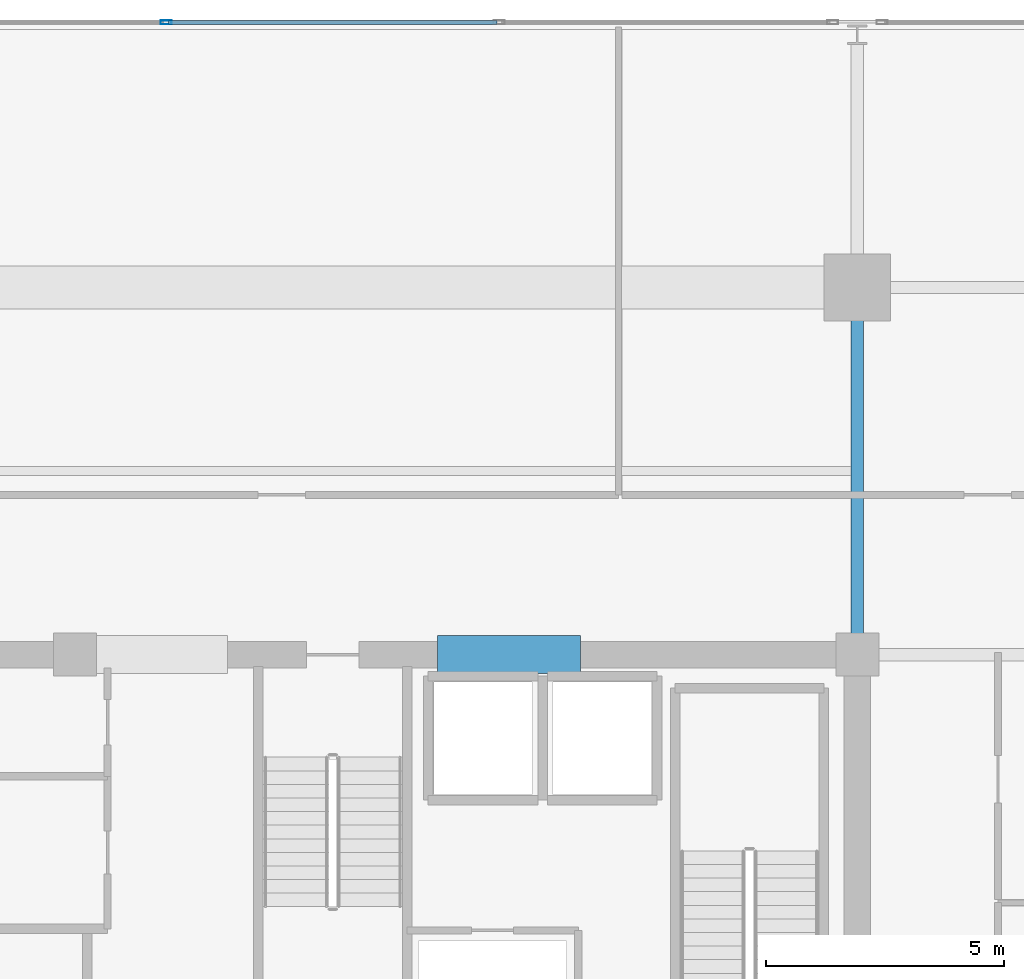
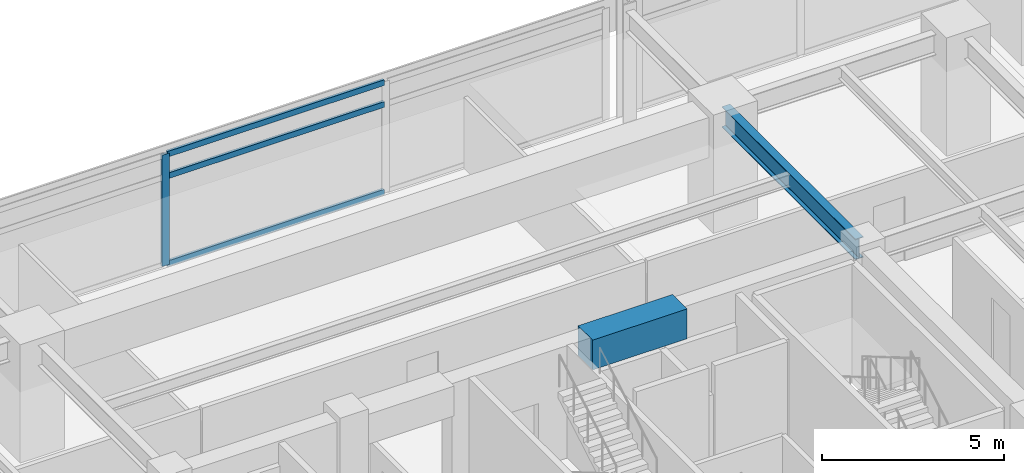
# One storey, part 10 of 22: 4 members, 2 beams, 1 element without a shape of its own.
"""IFC4 building model written with IfcOpenShell, lengths in metres."""

from ifc_helpers import new_model, si_unit, direction, frame, origin, origin_2d, place, context, subcontext, project, spatial, rectangle, hollow_rectangle, i_section, extrude, material, material_profile, profile_set, type_object, element, aggregate, save


model = new_model("IFC4")

# Units and contexts
model_context = context("Model", 3, precision=1e-05, world=origin(), true_north=direction((0.0, 1.0)))
body_context = subcontext(model_context, "Body", "Model", "MODEL_VIEW")
ifc_project = project(units=[si_unit("LENGTHUNIT", "METRE"), si_unit("AREAUNIT", "SQUARE_METRE"), si_unit("VOLUMEUNIT", "CUBIC_METRE"), si_unit("PLANEANGLEUNIT", "RADIAN"), si_unit("MASSUNIT", "GRAM", prefix="KILO")], contexts=[model_context])

# Site, building, storey
site_placement = place(None, origin())
site = spatial("IfcSite", under=ifc_project, at=site_placement, CompositionType="ELEMENT")
building_placement = place(site_placement, origin())
building = spatial("IfcBuilding", under=site, at=building_placement, Name="Kovane Verandah Tower", CompositionType="ELEMENT")
storey_placement = place(building_placement, frame((0.0, 0.0, 225.199951171875)))
storey = spatial("IfcBuildingStorey", under=building, at=storey_placement, Name="L52", CompositionType="ELEMENT", Elevation=225.199951171875)

# Beams
ifc_material_1 = material(Name="Concrete C60/75", Category="concrete")
ifc_material_profile_1 = material_profile(ifc_material_1, rectangle(XDim=0.800048828125, YDim=1.0, at=origin_2d()), Name="RCB800x1000")
ifc_profile_set_1 = profile_set([ifc_material_profile_1], Name="Concrete C60/75")
beam_type_1 = type_object("IfcBeamType", Name="BM-LINTEL-800x1000", PredefinedType="LINTEL", material=ifc_profile_set_1)
beam_1_placement = place(storey_placement, frame((42.199951171875, 36.5, 3.275146484375), z_axis=(1.0, 0.0, 0.0), x_axis=(0.0, 1.0, 0.0)))
element("IfcBeam", 1, at=beam_1_placement, inside=storey, type_object=beam_type_1, Name="L52 Core Coupling Lintel CL-N2", PredefinedType="LINTEL", context=body_context, shape_type="SweptSolid", body=[
    extrude(rectangle(XDim=0.800048828125, YDim=1.0, at=origin_2d()), origin(), (0.0, 0.0, 1.0), 3.0),
])
ifc_material_2 = material(Name="Steel S355", Category="steel")
ifc_material_profile_2 = material_profile(ifc_material_2, i_section(OverallWidth=0.255859375, OverallDepth=0.69287109375, WebThickness=0.014404296875, FlangeThickness=0.023681640625, FilletRadius=0.01513671875, at=origin_2d()), Name="UB686x254x170")
ifc_profile_set_2 = profile_set([ifc_material_profile_2], Name="Steel S355")
beam_type_2 = type_object("IfcBeamType", Name="BM-UB686x170", PredefinedType="BEAM", material=ifc_profile_set_2)
beam_2_placement = place(storey_placement, frame((51.0, 36.679931640625, 3.428466796875), z_axis=(0.0, 1.0, 0.0), x_axis=(-1.0, 0.0, 0.0)))
element("IfcBeam", 2, at=beam_2_placement, inside=storey, type_object=beam_type_2, Name="L52 Primary Tower Girder G-N2", PredefinedType="BEAM", context=body_context, shape_type="SweptSolid", body=[
    extrude(i_section(OverallWidth=0.255859375, OverallDepth=0.69287109375, WebThickness=0.014404296875, FlangeThickness=0.023681640625, FilletRadius=0.01513671875, at=origin_2d()), origin(), (0.0, 0.0, 1.0), 7.340087890625),
])

# Curtain wall, members
ifc_material_3 = material(Name="Champagne Anodised Aluminium Frame with Low-E Clear Laminated Glass", Category="aluminium")
curtain_wall_type = type_object("IfcCurtainWallType", Name="CW-SYS-03-MID", PredefinedType="NOTDEFINED", material=ifc_material_3)
curtain_wall_placement = place(storey_placement, origin())
curtain_wall = element("IfcCurtainWall", 3, at=curtain_wall_placement, inside=storey, type_object=curtain_wall_type, Name="L52 N Unitised Curtain Wall-2", PredefinedType="NOTDEFINED")
ifc_material_4 = material(Name="Champagne Anodised Aluminium 6063-T6", Category="aluminium")
ifc_material_profile_3 = material_profile(ifc_material_4, hollow_rectangle(XDim=0.0849609375, YDim=0.22998046875, WallThickness=0.00390625, at=origin_2d()), Name="AL85x230x4")
ifc_profile_set_3 = profile_set([ifc_material_profile_3], Name="Champagne Anodised Aluminium 6063-T6")
member_type_1 = type_object("IfcMemberType", Name="CW-MUL-85x230", PredefinedType="MULLION", material=ifc_profile_set_3)
member_1_placement = place(storey_placement, frame((36.506591796875, 49.75634765625, 0.02001953125), z_axis=(0.0, 0.0, 1.0), x_axis=(0.0, 1.0, 0.0)))
member_1 = element("IfcMember", 4, at=member_1_placement, type_object=member_type_1, Name="L52 N Unitised Curtain Wall-2 Mullion 3", PredefinedType="MULLION", context=body_context, shape_type="SweptSolid", body=[
    extrude(hollow_rectangle(XDim=0.0849609375, YDim=0.22998046875, WallThickness=0.00390625, at=origin_2d()), origin(), (0.0, 0.0, 1.0), 3.735107421875),
])
ifc_material_profile_4 = material_profile(ifc_material_4, hollow_rectangle(XDim=0.0849609375, YDim=0.18994140625, WallThickness=0.00390625, at=origin_2d()), Name="AL85x190x4")
ifc_profile_set_4 = profile_set([ifc_material_profile_4], Name="Champagne Anodised Aluminium 6063-T6")
member_type_2 = type_object("IfcMemberType", Name="CW-TRN-85x190", PredefinedType="USERDEFINED", material=ifc_profile_set_4)
member_2_placement = place(storey_placement, frame((43.443359375, 49.75634765625, 0.050048828125), z_axis=(-1.0, 0.0, 0.0), x_axis=(0.0, -1.0, 0.0)))
member_2 = element("IfcMember", 5, at=member_2_placement, type_object=member_type_2, Name="L52 N Unitised Curtain Wall-2 Transom TB Bay 2", ObjectType="TRANSOM", PredefinedType="USERDEFINED", context=body_context, shape_type="SweptSolid", body=[
    extrude(hollow_rectangle(XDim=0.0849609375, YDim=0.18994140625, WallThickness=0.00390625, at=origin_2d()), origin(), (0.0, 0.0, 1.0), 6.88671875),
])
member_3_placement = place(storey_placement, frame((43.443359375, 49.75634765625, 2.9951171875), z_axis=(-1.0, 0.0, 0.0), x_axis=(0.0, -1.0, 0.0)))
member_3 = element("IfcMember", 6, at=member_3_placement, type_object=member_type_2, Name="L52 N Unitised Curtain Wall-2 Transom TM Bay 2", ObjectType="TRANSOM", PredefinedType="USERDEFINED", context=body_context, shape_type="SweptSolid", body=[
    extrude(hollow_rectangle(XDim=0.0849609375, YDim=0.18994140625, WallThickness=0.00390625, at=origin_2d()), origin(), (0.0, 0.0, 1.0), 6.88671875),
])
member_4_placement = place(storey_placement, frame((43.443359375, 49.75634765625, 3.72509765625), z_axis=(-1.0, 0.0, 0.0), x_axis=(0.0, -1.0, 0.0)))
member_4 = element("IfcMember", 7, at=member_4_placement, type_object=member_type_2, Name="L52 N Unitised Curtain Wall-2 Transom TT Bay 2", ObjectType="TRANSOM", PredefinedType="USERDEFINED", context=body_context, shape_type="SweptSolid", body=[
    extrude(hollow_rectangle(XDim=0.0849609375, YDim=0.18994140625, WallThickness=0.00390625, at=origin_2d()), origin(), (0.0, 0.0, 1.0), 6.88671875),
])
aggregate(curtain_wall, [member_1, member_2, member_3, member_4])

save(model, "model.ifc")
